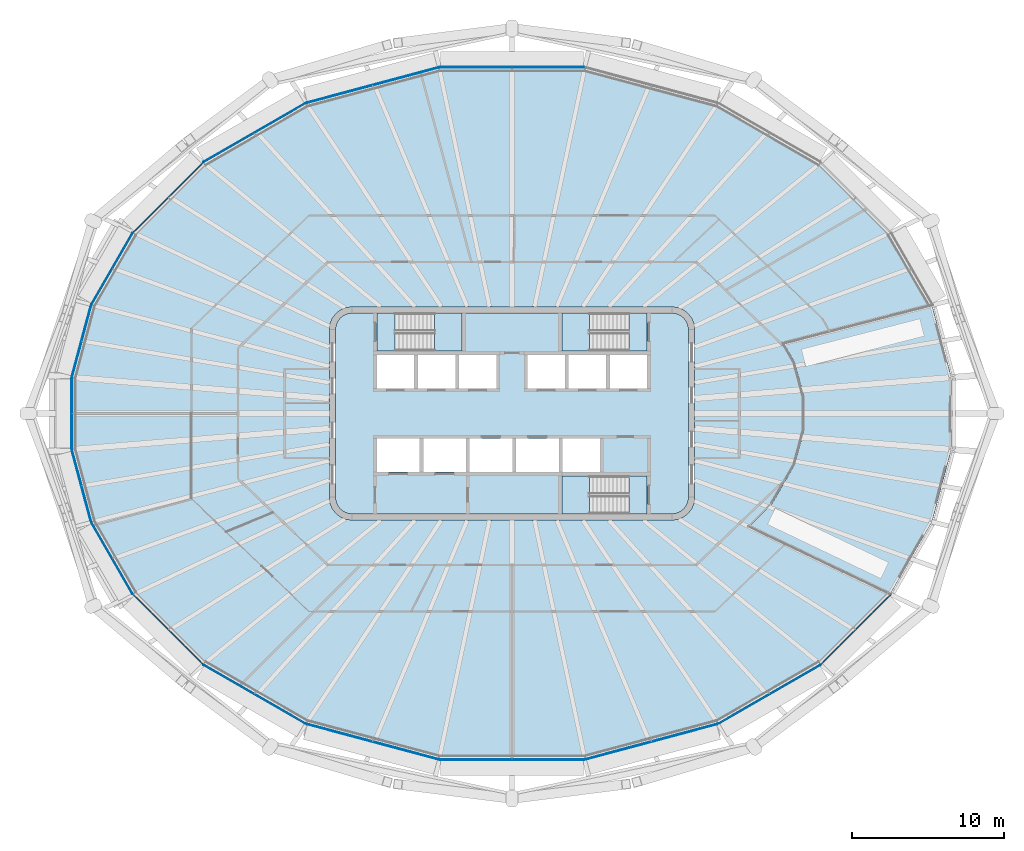
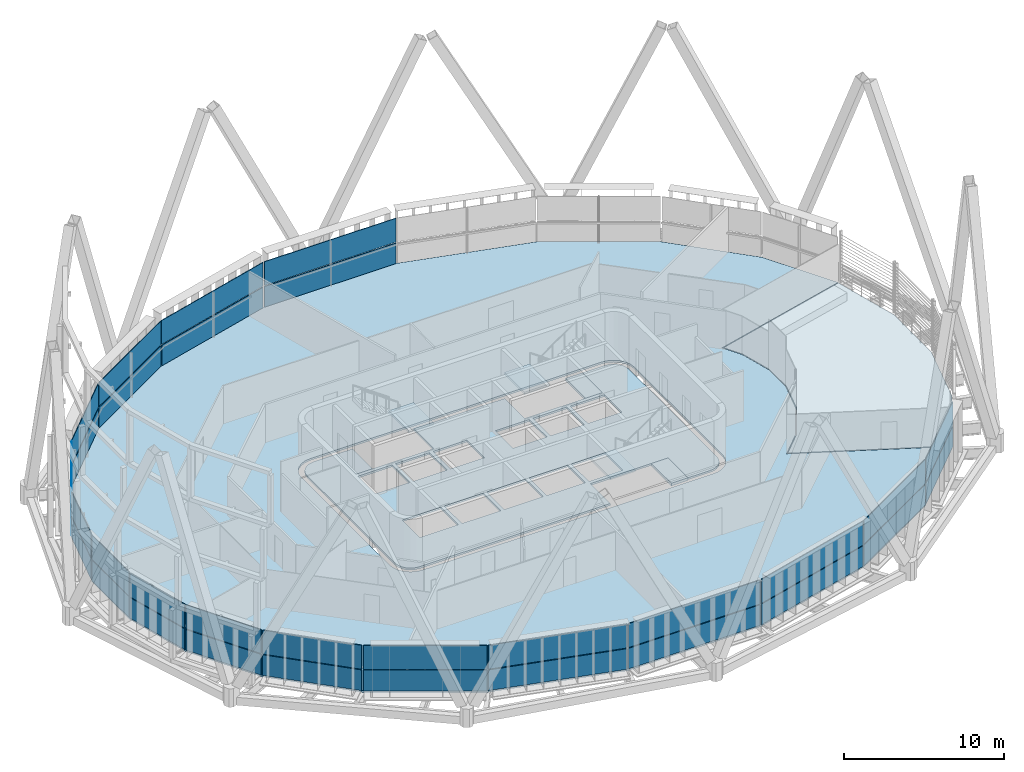
# One storey, part 9 of 22: 32 plates, 9 slabs, 19 elements without a shape of their own.
"""IFC4 building model written with IfcOpenShell, lengths in metres."""

from ifc_helpers import new_model, si_unit, direction, frame, origin, place, context, subcontext, project, spatial, polyline, outline, extrude, material, layer, layer_set, type_object, element, aggregate, save


model = new_model("IFC4")

# Units and contexts
model_context = context("Model", 3, precision=1e-05, world=origin(), true_north=direction((0.0, 1.0)))
body_context = subcontext(model_context, "Body", "Model", "MODEL_VIEW")
ifc_project = project(units=[si_unit("LENGTHUNIT", "METRE"), si_unit("AREAUNIT", "SQUARE_METRE"), si_unit("VOLUMEUNIT", "CUBIC_METRE"), si_unit("PLANEANGLEUNIT", "RADIAN"), si_unit("MASSUNIT", "GRAM", prefix="KILO")], contexts=[model_context])

# Site, building, storey
site_placement = place(None, origin())
site = spatial("IfcSite", under=ifc_project, at=site_placement, CompositionType="ELEMENT")
building_placement = place(site_placement, origin())
building = spatial("IfcBuilding", under=site, at=building_placement, Name="Sahrelin Media Tower", CompositionType="ELEMENT")
storey_placement = place(building_placement, frame((0.0, 0.0, 283.0)))
storey = spatial("IfcBuildingStorey", under=building, at=storey_placement, Name="L62", CompositionType="ELEMENT", Elevation=283.0)

# Slabs
ifc_material_1 = material(Name="Concrete C40/50", Category="concrete")
ifc_layer_1 = layer(ifc_material_1, 0.14990234375)
ifc_layer_set_1 = layer_set([ifc_layer_1], Name="Composite floor slab 150")
slab_type_1 = type_object("IfcSlabType", Name="Composite floor slab 150", PredefinedType="FLOOR", material=ifc_layer_set_1)
placement_1 = place(storey_placement, frame((0.0, 0.0, -0.14990234375)))
element("IfcSlab", 1, at=placement_1, inside=storey, type_object=slab_type_1, Name="Floor slab L62", PredefinedType="FLOOR", context=body_context, shape_type="SweptSolid", body=[
    extrude(outline(polyline([(20.283203125, -16.475830078125), (24.87109375, -11.887939453125), (15.51318359375, -7.414794921875), (17.04833984375, -5.879638671875), (18.51171875, -3.34521484375), (19.118896484375, -1.0791015625), (19.118896484375, 1.0791015625), (18.51171875, 3.34521484375), (17.7939453125, 4.588134765625), (27.623779296875, 7.12255859375), (24.874267578125, 11.884765625), (20.283203125, 16.475830078125), (13.52685546875, 20.376708984375), (4.789794921875, 22.7177734375), (-4.789794921875, 22.7177734375), (-13.52685546875, 20.376708984375), (-20.283203125, 16.475830078125), (-24.874267578125, 11.884765625), (-27.625244140625, 7.1201171875), (-28.89892578125, 2.36669921875), (-28.89892578125, -2.36669921875), (-27.625244140625, -7.1201171875), (-24.874267578125, -11.884765625), (-20.283203125, -16.475830078125), (-13.52685546875, -20.376708984375), (-4.789794921875, -22.7177734375), (4.789794921875, -22.7177734375), (13.52685546875, -20.376708984375), (20.283203125, -16.475830078125)]), holes=[polyline([(11.799072265625, 6.25), (11.948974609375, 5.88818359375), (12.0, 5.5), (12.0, -5.5), (11.948974609375, -5.88818359375), (11.799072265625, -6.25), (11.560791015625, -6.560791015625), (11.25, -6.799072265625), (10.88818359375, -6.948974609375), (10.5, -7.0), (-10.5, -7.0), (-10.88818359375, -6.948974609375), (-11.25, -6.799072265625), (-11.560791015625, -6.560791015625), (-11.799072265625, -6.25), (-11.948974609375, -5.88818359375), (-12.0, -5.5), (-12.0, 5.5), (-11.948974609375, 5.88818359375), (-11.799072265625, 6.25), (-11.560791015625, 6.560791015625), (-11.25, 6.799072265625), (-10.88818359375, 6.948974609375), (-10.5, 7.0), (10.5, 7.0), (10.88818359375, 6.948974609375), (11.25, 6.799072265625), (11.560791015625, 6.560791015625), (11.799072265625, 6.25)])]), origin(), (0.0, 0.0, 1.0), 0.14990234375),
])
ifc_layer_2 = layer(ifc_material_1, 0.14990234375)
ifc_layer_set_2 = layer_set([ifc_layer_2], Name="Core floor slab 150")
slab_type_2 = type_object("IfcSlabType", Name="Core floor slab 150", PredefinedType="FLOOR", material=ifc_layer_set_2)
element("IfcSlab", 2, at=placement_1, inside=storey, type_object=slab_type_2, Name="Core floor", PredefinedType="FLOOR", context=body_context, shape_type="SweptSolid", body=[
    extrude(outline(polyline([(-11.60009765625, -5.473876953125), (-11.55908203125, -5.78369140625), (-11.44970703125, -6.04833984375), (-11.275390625, -6.275390625), (-11.04833984375, -6.44970703125), (-10.78369140625, -6.55908203125), (-10.473876953125, -6.60009765625), (3.27490234375, -6.60009765625), (3.27490234375, -4.10009765625), (8.875, -4.10009765625), (8.875, -6.60009765625), (10.473876953125, -6.60009765625), (10.78369140625, -6.55908203125), (11.04833984375, -6.44970703125), (11.275390625, -6.275390625), (11.44970703125, -6.04833984375), (11.55908203125, -5.78369140625), (11.60009765625, -5.473876953125), (11.60009765625, 5.473876953125), (11.55908203125, 5.78369140625), (11.44970703125, 6.04833984375), (11.275390625, 6.275390625), (11.04833984375, 6.44970703125), (10.78369140625, 6.55908203125), (10.473876953125, 6.60009765625), (8.875, 6.60009765625), (8.875, 4.10009765625), (3.27490234375, 4.10009765625), (3.27490234375, 6.60009765625), (-3.27490234375, 6.60009765625), (-3.27490234375, 4.10009765625), (-8.875, 4.10009765625), (-8.875, 6.60009765625), (-10.473876953125, 6.60009765625), (-10.78369140625, 6.55908203125), (-11.04833984375, 6.44970703125), (-11.275390625, 6.275390625), (-11.44970703125, 6.04833984375), (-11.55908203125, 5.78369140625), (-11.60009765625, 5.473876953125), (-11.60009765625, -5.473876953125)]), holes=[polyline([(-8.875, 3.85009765625), (-8.875, 1.64990234375), (-6.425048828125, 1.64990234375), (-6.425048828125, 3.85009765625), (-8.875, 3.85009765625)]), polyline([(-3.72509765625, 3.85009765625), (-6.175048828125, 3.85009765625), (-6.175048828125, 1.64990234375), (-3.72509765625, 1.64990234375), (-3.72509765625, 3.85009765625)]), polyline([(-1.02490234375, 1.64990234375), (-1.02490234375, 3.85009765625), (-3.47509765625, 3.85009765625), (-3.47509765625, 1.64990234375), (-1.02490234375, 1.64990234375)]), polyline([(1.02490234375, 1.64990234375), (3.47509765625, 1.64990234375), (3.47509765625, 3.85009765625), (1.02490234375, 3.85009765625), (1.02490234375, 1.64990234375)]), polyline([(3.72509765625, 3.85009765625), (3.72509765625, 1.64990234375), (6.175048828125, 1.64990234375), (6.175048828125, 3.85009765625), (3.72509765625, 3.85009765625)]), polyline([(8.875, 3.85009765625), (6.425048828125, 3.85009765625), (6.425048828125, 1.64990234375), (8.875, 1.64990234375), (8.875, 3.85009765625)]), polyline([(-6.074951171875, -3.85009765625), (-6.074951171875, -1.64990234375), (-8.875, -1.64990234375), (-8.875, -3.85009765625), (-6.074951171875, -3.85009765625)]), polyline([(-5.824951171875, -3.85009765625), (-3.02490234375, -3.85009765625), (-3.02490234375, -1.64990234375), (-5.824951171875, -1.64990234375), (-5.824951171875, -3.85009765625)]), polyline([(-2.77490234375, -1.64990234375), (-2.77490234375, -3.85009765625), (0.02490234375, -3.85009765625), (0.02490234375, -1.64990234375), (-2.77490234375, -1.64990234375)]), polyline([(3.074951171875, -1.64990234375), (0.27490234375, -1.64990234375), (0.27490234375, -3.85009765625), (3.074951171875, -3.85009765625), (3.074951171875, -1.64990234375)]), polyline([(5.77490234375, -3.85009765625), (5.77490234375, -1.64990234375), (3.324951171875, -1.64990234375), (3.324951171875, -3.85009765625), (5.77490234375, -3.85009765625)])]), origin(), (0.0, 0.0, 1.0), 0.14990234375),
])

# Curtain wall, plate
ifc_material_2 = material(Name="Champagne anodised aluminium 6063-T6", Category="aluminium")
ifc_layer_3 = layer(ifc_material_2, 0.14990234375)
ifc_layer_set_3 = layer_set([ifc_layer_3], Name="Tower ribbon curtain wall")
curtain_wall_type = type_object("IfcCurtainWallType", Name="Tower ribbon curtain wall", PredefinedType="NOTDEFINED", material=ifc_layer_set_3)
curtain_wall_1_placement = place(storey_placement, frame((0.0, 22.73779296875, 0.0), z_axis=(0.0, 0.0, 1.0), x_axis=(1.0, 0.0, 0.0)))
curtain_wall_1 = element("IfcCurtainWall", 3, at=curtain_wall_1_placement, inside=storey, type_object=curtain_wall_type, Name="L62:CW:L62-06", PredefinedType="NOTDEFINED")
ifc_material_3 = material(Name="Clear low-iron glazing", Category="glass")
ifc_layer_4 = layer(ifc_material_3, 0.048095703125)
ifc_layer_set_4 = layer_set([ifc_layer_4], Name="Glazing panel 48 mm CW1C")
plate_type_1 = type_object("IfcPlateType", Name="Glazing panel 48 mm CW1C", PredefinedType="CURTAIN_PANEL", material=ifc_layer_set_4)
plate_1_placement = place(storey_placement, frame((4.7421875, 22.7578125, 1.6298828125), z_axis=(0.0, 1.0, 0.0), x_axis=(-1.0, 0.0, 0.0)))
plate_1 = element("IfcPlate", 4, at=plate_1_placement, type_object=plate_type_1, Name="L62:CWP2:L62-06", PredefinedType="CURTAIN_PANEL", context=body_context, shape_type="SweptSolid", body=[
    extrude(outline(polyline([(0.0, 0.0), (9.484375, 0.0), (9.484375, 1.818603515625), (0.0, 1.818603515625), (0.0, 0.0)])), origin(), (0.0, 0.0, -1.0), 0.048095703125),
])

curtain_wall_2_placement = place(storey_placement, frame((-9.163330078125, 21.56640625, 0.0), z_axis=(0.0, 0.0, 1.0), x_axis=(1.0, 0.0, 0.0)))
curtain_wall_2 = element("IfcCurtainWall", 5, at=curtain_wall_2_placement, inside=storey, type_object=curtain_wall_type, Name="L62:CW:L62-07", PredefinedType="NOTDEFINED")
plate_2_placement = place(storey_placement, frame((-4.845703125, 22.744140625, 1.6298828125), z_axis=(-0.258821978042, 0.965925040405, 0.0), x_axis=(-0.965925040405, -0.258821978042, 0.0)))
plate_2 = element("IfcPlate", 6, at=plate_2_placement, type_object=plate_type_1, Name="L62:CWP2:L62-07", PredefinedType="CURTAIN_PANEL", context=body_context, shape_type="SweptSolid", body=[
    extrude(outline(polyline([(0.0, 0.0), (8.95068359375, 0.0), (8.95068359375, 1.818603515625), (0.0, 1.818603515625), (0.0, 0.0)])), origin(), (0.0, 0.0, -1.0), 0.048095703125),
])

curtain_wall_3_placement = place(storey_placement, frame((-16.9150390625, 18.443603515625, 0.0), z_axis=(0.0, 0.0, 1.0), x_axis=(1.0, 0.0, 0.0)))
curtain_wall_3 = element("IfcCurtainWall", 7, at=curtain_wall_3_placement, inside=storey, type_object=curtain_wall_type, Name="L62:CW:L62-08", PredefinedType="NOTDEFINED")
plate_3_placement = place(storey_placement, frame((-13.587890625, 20.3876953125, 1.6298828125), z_axis=(-0.500009464026, 0.866019939657, 0.0), x_axis=(-0.866019939657, -0.500009464026, 0.0)))
plate_3 = element("IfcPlate", 8, at=plate_3_placement, type_object=plate_type_1, Name="L62:CWP2:L62-08", PredefinedType="CURTAIN_PANEL", context=body_context, shape_type="SweptSolid", body=[
    extrude(outline(polyline([(0.0, 0.0), (7.706787109375, 0.0), (7.706787109375, 1.818603515625), (0.0, 1.818603515625), (0.0, 0.0)])), origin(), (0.0, 0.0, -1.0), 0.048095703125),
])

curtain_wall_4_placement = place(storey_placement, frame((-22.593017578125, 14.1943359375, 0.0), z_axis=(0.0, 0.0, 1.0), x_axis=(1.0, 0.0, 0.0)))
curtain_wall_4 = element("IfcCurtainWall", 9, at=curtain_wall_4_placement, inside=storey, type_object=curtain_wall_type, Name="L62:CW:L62-09", PredefinedType="NOTDEFINED")
plate_4_placement = place(storey_placement, frame((-20.344970703125, 16.470703125, 1.6298828125), z_axis=(-0.707106781187, 0.707106781187, 0.0), x_axis=(-0.707106781187, -0.707106781187, 0.0)))
plate_4 = element("IfcPlate", 10, at=plate_4_placement, type_object=plate_type_1, Name="L62:CWP2:L62-09", PredefinedType="CURTAIN_PANEL", context=body_context, shape_type="SweptSolid", body=[
    extrude(outline(polyline([(0.0, 0.0), (6.398193359375, 0.0), (6.398193359375, 1.818603515625), (0.0, 1.818603515625), (0.0, 0.0)])), origin(), (0.0, 0.0, -1.0), 0.048095703125),
])

curtain_wall_5_placement = place(storey_placement, frame((-26.26708984375, 9.512451171875, 0.0), z_axis=(0.0, 0.0, 1.0), x_axis=(1.0, 0.0, 0.0)))
curtain_wall_5 = element("IfcCurtainWall", 11, at=curtain_wall_5_placement, inside=storey, type_object=curtain_wall_type, Name="L62:CW:L62-10", PredefinedType="NOTDEFINED")
plate_5_placement = place(storey_placement, frame((-24.9326171875, 11.86376953125, 1.6298828125), z_axis=(-0.866036707733, 0.499980420476, 0.0), x_axis=(-0.499980420476, -0.866036707733, 0.0)))
plate_5 = element("IfcPlate", 12, at=plate_5_placement, type_object=plate_type_1, Name="L62:CWP2:L62-10", PredefinedType="CURTAIN_PANEL", context=body_context, shape_type="SweptSolid", body=[
    extrude(outline(polyline([(0.0, 0.0), (5.406982421875, 0.0), (5.406982421875, 1.818603515625), (0.0, 1.818603515625), (0.0, 0.0)])), origin(), (0.0, 0.0, -1.0), 0.048095703125),
])

curtain_wall_6_placement = place(storey_placement, frame((-28.28125, 4.74853515625, 0.0), z_axis=(0.0, 0.0, 1.0), x_axis=(1.0, 0.0, 0.0)))
curtain_wall_6 = element("IfcCurtainWall", 13, at=curtain_wall_6_placement, inside=storey, type_object=curtain_wall_type, Name="L62:CW:L62-11", PredefinedType="NOTDEFINED")
plate_6_placement = place(storey_placement, frame((-27.676025390625, 7.084716796875, 1.6298828125), z_axis=(-0.965922763183, 0.258830476498, 0.0), x_axis=(-0.258830476498, -0.965922763183, 0.0)))
plate_6 = element("IfcPlate", 14, at=plate_6_placement, type_object=plate_type_1, Name="L62:CWP2:L62-11", PredefinedType="CURTAIN_PANEL", context=body_context, shape_type="SweptSolid", body=[
    extrude(outline(polyline([(0.0, 0.0), (4.82666015625, 0.0), (4.82666015625, 1.818603515625), (0.0, 1.818603515625), (0.0, 0.0)])), origin(), (0.0, 0.0, -1.0), 0.048095703125),
])

curtain_wall_7_placement = place(storey_placement, frame((-28.9189453125, 0.0, 0.0), z_axis=(0.0, 0.0, 1.0), x_axis=(1.0, 0.0, 0.0)))
curtain_wall_7 = element("IfcCurtainWall", 15, at=curtain_wall_7_placement, inside=storey, type_object=curtain_wall_type, Name="L62:CW:L62-12", PredefinedType="NOTDEFINED")
plate_7_placement = place(storey_placement, frame((-28.93896484375, 2.319091796875, 1.6298828125), z_axis=(-1.0, 0.0, 0.0), x_axis=(0.0, -1.0, 0.0)))
plate_7 = element("IfcPlate", 16, at=plate_7_placement, type_object=plate_type_1, Name="L62:CWP2:L62-12", PredefinedType="CURTAIN_PANEL", context=body_context, shape_type="SweptSolid", body=[
    extrude(outline(polyline([(0.0, 0.0), (4.63818359375, 0.0), (4.63818359375, 1.818603515625), (0.0, 1.818603515625), (0.0, 0.0)])), origin(), (0.0, 0.0, -1.0), 0.048095703125),
])

curtain_wall_8_placement = place(storey_placement, frame((-28.28125, -4.74853515625, 0.0), z_axis=(0.0, 0.0, 1.0), x_axis=(1.0, 0.0, 0.0)))
curtain_wall_8 = element("IfcCurtainWall", 17, at=curtain_wall_8_placement, inside=storey, type_object=curtain_wall_type, Name="L62:CW:L62-13", PredefinedType="NOTDEFINED")
plate_8_placement = place(storey_placement, frame((-28.92529296875, -2.422607421875, 1.6298828125), z_axis=(-0.965922763183, -0.258830476498, 0.0), x_axis=(0.258830476498, -0.965922763183, 0.0)))
plate_8 = element("IfcPlate", 18, at=plate_8_placement, type_object=plate_type_1, Name="L62:CWP2:L62-13", PredefinedType="CURTAIN_PANEL", context=body_context, shape_type="SweptSolid", body=[
    extrude(outline(polyline([(0.0, 0.0), (4.82666015625, 0.0), (4.82666015625, 1.818603515625), (0.0, 1.818603515625), (0.0, 0.0)])), origin(), (0.0, 0.0, -1.0), 0.048095703125),
])

curtain_wall_9_placement = place(storey_placement, frame((-26.26708984375, -9.512451171875, 0.0), z_axis=(0.0, 0.0, 1.0), x_axis=(1.0, 0.0, 0.0)))
curtain_wall_9 = element("IfcCurtainWall", 19, at=curtain_wall_9_placement, inside=storey, type_object=curtain_wall_type, Name="L62:CW:L62-14", PredefinedType="NOTDEFINED")
plate_9_placement = place(storey_placement, frame((-27.635986328125, -7.18115234375, 1.6298828125), z_axis=(-0.866036707733, -0.499980420476, 0.0), x_axis=(0.499980420476, -0.866036707733, 0.0)))
plate_9 = element("IfcPlate", 20, at=plate_9_placement, type_object=plate_type_1, Name="L62:CWP2:L62-14", PredefinedType="CURTAIN_PANEL", context=body_context, shape_type="SweptSolid", body=[
    extrude(outline(polyline([(0.0, 0.0), (5.406982421875, 0.0), (5.406982421875, 1.818603515625), (0.0, 1.818603515625), (0.0, 0.0)])), origin(), (0.0, 0.0, -1.0), 0.048095703125),
])

curtain_wall_10_placement = place(storey_placement, frame((-22.593017578125, -14.1943359375, 0.0), z_axis=(0.0, 0.0, 1.0), x_axis=(1.0, 0.0, 0.0)))
curtain_wall_10 = element("IfcCurtainWall", 21, at=curtain_wall_10_placement, inside=storey, type_object=curtain_wall_type, Name="L62:CW:L62-15", PredefinedType="NOTDEFINED")
plate_10_placement = place(storey_placement, frame((-24.869140625, -11.946533203125, 1.6298828125), z_axis=(-0.707106781187, -0.707106781187, 0.0), x_axis=(0.707106781187, -0.707106781187, 0.0)))
plate_10 = element("IfcPlate", 22, at=plate_10_placement, type_object=plate_type_1, Name="L62:CWP2:L62-15", PredefinedType="CURTAIN_PANEL", context=body_context, shape_type="SweptSolid", body=[
    extrude(outline(polyline([(0.0, 0.0), (6.398193359375, 0.0), (6.398193359375, 1.818603515625), (0.0, 1.818603515625), (0.0, 0.0)])), origin(), (0.0, 0.0, -1.0), 0.048095703125),
])

curtain_wall_11_placement = place(storey_placement, frame((-16.9150390625, -18.443603515625, 0.0), z_axis=(0.0, 0.0, 1.0), x_axis=(1.0, 0.0, 0.0)))
curtain_wall_11 = element("IfcCurtainWall", 23, at=curtain_wall_11_placement, inside=storey, type_object=curtain_wall_type, Name="L62:CW:L62-16", PredefinedType="NOTDEFINED")
plate_11_placement = place(storey_placement, frame((-20.26220703125, -16.5341796875, 1.6298828125), z_axis=(-0.500009464026, -0.866019939657, 0.0), x_axis=(0.866019939657, -0.500009464026, 0.0)))
plate_11 = element("IfcPlate", 24, at=plate_11_placement, type_object=plate_type_1, Name="L62:CWP2:L62-16", PredefinedType="CURTAIN_PANEL", context=body_context, shape_type="SweptSolid", body=[
    extrude(outline(polyline([(0.0, 0.0), (7.706787109375, 0.0), (7.706787109375, 1.818603515625), (0.0, 1.818603515625), (0.0, 0.0)])), origin(), (0.0, 0.0, -1.0), 0.048095703125),
])

curtain_wall_12_placement = place(storey_placement, frame((-9.163330078125, -21.56640625, 0.0), z_axis=(0.0, 0.0, 1.0), x_axis=(1.0, 0.0, 0.0)))
curtain_wall_12 = element("IfcCurtainWall", 25, at=curtain_wall_12_placement, inside=storey, type_object=curtain_wall_type, Name="L62:CW:L62-17", PredefinedType="NOTDEFINED")
plate_12_placement = place(storey_placement, frame((-13.491455078125, -20.427490234375, 1.6298828125), z_axis=(-0.258821978042, -0.965925040405, 0.0), x_axis=(0.965925040405, -0.258821978042, 0.0)))
plate_12 = element("IfcPlate", 26, at=plate_12_placement, type_object=plate_type_1, Name="L62:CWP2:L62-17", PredefinedType="CURTAIN_PANEL", context=body_context, shape_type="SweptSolid", body=[
    extrude(outline(polyline([(0.0, 0.0), (8.95068359375, 0.0), (8.95068359375, 1.818603515625), (0.0, 1.818603515625), (0.0, 0.0)])), origin(), (0.0, 0.0, -1.0), 0.048095703125),
])

curtain_wall_13_placement = place(storey_placement, frame((0.0, -22.73779296875, 0.0), z_axis=(0.0, 0.0, 1.0), x_axis=(1.0, 0.0, 0.0)))
curtain_wall_13 = element("IfcCurtainWall", 27, at=curtain_wall_13_placement, inside=storey, type_object=curtain_wall_type, Name="L62:CW:L62-18", PredefinedType="NOTDEFINED")
plate_13_placement = place(storey_placement, frame((-4.7421875, -22.7578125, 1.6298828125), z_axis=(0.0, -1.0, 0.0), x_axis=(1.0, 0.0, 0.0)))
plate_13 = element("IfcPlate", 28, at=plate_13_placement, type_object=plate_type_1, Name="L62:CWP2:L62-18", PredefinedType="CURTAIN_PANEL", context=body_context, shape_type="SweptSolid", body=[
    extrude(outline(polyline([(0.0, 0.0), (9.484375, 0.0), (9.484375, 1.818603515625), (0.0, 1.818603515625), (0.0, 0.0)])), origin(), (0.0, 0.0, -1.0), 0.048095703125),
])

curtain_wall_14_placement = place(storey_placement, frame((9.163330078125, -21.56640625, 0.0), z_axis=(0.0, 0.0, 1.0), x_axis=(1.0, 0.0, 0.0)))
curtain_wall_14 = element("IfcCurtainWall", 29, at=curtain_wall_14_placement, inside=storey, type_object=curtain_wall_type, Name="L62:CW:L62-19", PredefinedType="NOTDEFINED")
plate_14_placement = place(storey_placement, frame((4.845703125, -22.744140625, 1.6298828125), z_axis=(0.258821978042, -0.965925040405, 0.0), x_axis=(0.965925040405, 0.258821978042, 0.0)))
plate_14 = element("IfcPlate", 30, at=plate_14_placement, type_object=plate_type_1, Name="L62:CWP2:L62-19", PredefinedType="CURTAIN_PANEL", context=body_context, shape_type="SweptSolid", body=[
    extrude(outline(polyline([(0.0, 0.0), (8.95068359375, 0.0), (8.95068359375, 1.818603515625), (0.0, 1.818603515625), (0.0, 0.0)])), origin(), (0.0, 0.0, -1.0), 0.048095703125),
])

curtain_wall_15_placement = place(storey_placement, frame((16.9150390625, -18.443603515625, 0.0), z_axis=(0.0, 0.0, 1.0), x_axis=(1.0, 0.0, 0.0)))
curtain_wall_15 = element("IfcCurtainWall", 31, at=curtain_wall_15_placement, inside=storey, type_object=curtain_wall_type, Name="L62:CW:L62-20", PredefinedType="NOTDEFINED")
plate_15_placement = place(storey_placement, frame((13.587890625, -20.3876953125, 1.6298828125), z_axis=(0.500009464026, -0.866019939657, 0.0), x_axis=(0.866019939657, 0.500009464026, 0.0)))
plate_15 = element("IfcPlate", 32, at=plate_15_placement, type_object=plate_type_1, Name="L62:CWP2:L62-20", PredefinedType="CURTAIN_PANEL", context=body_context, shape_type="SweptSolid", body=[
    extrude(outline(polyline([(0.0, 0.0), (7.706787109375, 0.0), (7.706787109375, 1.818603515625), (0.0, 1.818603515625), (0.0, 0.0)])), origin(), (0.0, 0.0, -1.0), 0.048095703125),
])

curtain_wall_16_placement = place(storey_placement, frame((22.593017578125, -14.1943359375, 0.0), z_axis=(0.0, 0.0, 1.0), x_axis=(1.0, 0.0, 0.0)))
curtain_wall_16 = element("IfcCurtainWall", 33, at=curtain_wall_16_placement, inside=storey, type_object=curtain_wall_type, Name="L62:CW:L62-21", PredefinedType="NOTDEFINED")
plate_16_placement = place(storey_placement, frame((20.344970703125, -16.470703125, 1.6298828125), z_axis=(0.707106781187, -0.707106781187, 0.0), x_axis=(0.707106781187, 0.707106781187, 0.0)))
plate_16 = element("IfcPlate", 34, at=plate_16_placement, type_object=plate_type_1, Name="L62:CWP2:L62-21", PredefinedType="CURTAIN_PANEL", context=body_context, shape_type="SweptSolid", body=[
    extrude(outline(polyline([(0.0, 0.0), (6.398193359375, 0.0), (6.398193359375, 1.818603515625), (0.0, 1.818603515625), (0.0, 0.0)])), origin(), (0.0, 0.0, -1.0), 0.048095703125),
])

# Slab
ifc_layer_5 = layer(ifc_material_1, 0.199951171875)
ifc_layer_set_5 = layer_set([ifc_layer_5], Name="Sky garden terrace slab")
slab_type_3 = type_object("IfcSlabType", Name="Sky garden terrace slab", PredefinedType="FLOOR", material=ifc_layer_set_5)
placement_2 = place(storey_placement, frame((0.0, 0.0, -0.199951171875)))
element("IfcSlab", 35, at=placement_2, inside=storey, type_object=slab_type_3, Name="Sky garden terrace G8", PredefinedType="FLOOR", context=body_context, shape_type="SweptSolid", body=[
    extrude(outline(polyline([(28.868896484375, -2.362548828125), (27.59716796875, -7.1083984375), (24.8701171875, -11.831787109375), (15.598388671875, -7.400390625), (17.08837890625, -5.910400390625), (18.558349609375, -3.364501953125), (19.1689453125, -1.085693359375), (19.1689453125, 1.085693359375), (18.558349609375, 3.364501953125), (17.8701171875, 4.55615234375), (27.6083984375, 7.06689453125), (28.868896484375, 2.362548828125), (28.868896484375, -2.362548828125)])), origin(), (0.0, 0.0, 1.0), 0.199951171875),
])

# Plate
ifc_material_4 = material(Name="Insulated spandrel panel")
ifc_layer_6 = layer(ifc_material_4, 0.06005859375)
ifc_layer_set_6 = layer_set([ifc_layer_6], Name="Spandrel panel 60 mm CW1")
plate_type_2 = type_object("IfcPlateType", Name="Spandrel panel 60 mm CW1", PredefinedType="SHEET", material=ifc_layer_set_6)
plate_17_placement = place(storey_placement, frame((4.7421875, 22.7578125, 0.0), z_axis=(0.0, 1.0, 0.0), x_axis=(-1.0, 0.0, 0.0)))
plate_17 = element("IfcPlate", 36, at=plate_17_placement, type_object=plate_type_2, Name="L62:CWP1:L62-06", PredefinedType="SHEET", context=body_context, shape_type="SweptSolid", body=[
    extrude(outline(polyline([(0.0, 0.0), (9.484375, 0.0), (9.484375, 1.570068359375), (0.0, 1.570068359375), (0.0, 0.0)])), origin(), (0.0, 0.0, -1.0), 0.06005859375),
])

aggregate(curtain_wall_1, [plate_17, plate_1])

plate_18_placement = place(storey_placement, frame((-4.845703125, 22.744140625, 0.0), z_axis=(-0.258821978042, 0.965925040405, 0.0), x_axis=(-0.965925040405, -0.258821978042, 0.0)))
plate_18 = element("IfcPlate", 37, at=plate_18_placement, type_object=plate_type_2, Name="L62:CWP1:L62-07", PredefinedType="SHEET", context=body_context, shape_type="SweptSolid", body=[
    extrude(outline(polyline([(0.0, 0.0), (8.95068359375, 0.0), (8.95068359375, 1.570068359375), (0.0, 1.570068359375), (0.0, 0.0)])), origin(), (0.0, 0.0, -1.0), 0.06005859375),
])

aggregate(curtain_wall_2, [plate_18, plate_2])

plate_19_placement = place(storey_placement, frame((-13.587890625, 20.3876953125, 0.0), z_axis=(-0.500009464026, 0.866019939657, 0.0), x_axis=(-0.866019939657, -0.500009464026, 0.0)))
plate_19 = element("IfcPlate", 38, at=plate_19_placement, type_object=plate_type_2, Name="L62:CWP1:L62-08", PredefinedType="SHEET", context=body_context, shape_type="SweptSolid", body=[
    extrude(outline(polyline([(0.0, 0.0), (7.706787109375, 0.0), (7.706787109375, 1.570068359375), (0.0, 1.570068359375), (0.0, 0.0)])), origin(), (0.0, 0.0, -1.0), 0.06005859375),
])

aggregate(curtain_wall_3, [plate_19, plate_3])

plate_20_placement = place(storey_placement, frame((-20.344970703125, 16.470703125, 0.0), z_axis=(-0.707106781187, 0.707106781187, 0.0), x_axis=(-0.707106781187, -0.707106781187, 0.0)))
plate_20 = element("IfcPlate", 39, at=plate_20_placement, type_object=plate_type_2, Name="L62:CWP1:L62-09", PredefinedType="SHEET", context=body_context, shape_type="SweptSolid", body=[
    extrude(outline(polyline([(0.0, 0.0), (6.398193359375, 0.0), (6.398193359375, 1.570068359375), (0.0, 1.570068359375), (0.0, 0.0)])), origin(), (0.0, 0.0, -1.0), 0.06005859375),
])

aggregate(curtain_wall_4, [plate_20, plate_4])

plate_21_placement = place(storey_placement, frame((-24.9326171875, 11.86376953125, 0.0), z_axis=(-0.866036707733, 0.499980420476, 0.0), x_axis=(-0.499980420476, -0.866036707733, 0.0)))
plate_21 = element("IfcPlate", 40, at=plate_21_placement, type_object=plate_type_2, Name="L62:CWP1:L62-10", PredefinedType="SHEET", context=body_context, shape_type="SweptSolid", body=[
    extrude(outline(polyline([(0.0, 0.0), (5.406982421875, 0.0), (5.406982421875, 1.570068359375), (0.0, 1.570068359375), (0.0, 0.0)])), origin(), (0.0, 0.0, -1.0), 0.06005859375),
])

aggregate(curtain_wall_5, [plate_21, plate_5])

plate_22_placement = place(storey_placement, frame((-27.676025390625, 7.084716796875, 0.0), z_axis=(-0.965922763183, 0.258830476498, 0.0), x_axis=(-0.258830476498, -0.965922763183, 0.0)))
plate_22 = element("IfcPlate", 41, at=plate_22_placement, type_object=plate_type_2, Name="L62:CWP1:L62-11", PredefinedType="SHEET", context=body_context, shape_type="SweptSolid", body=[
    extrude(outline(polyline([(0.0, 0.0), (4.82666015625, 0.0), (4.82666015625, 1.570068359375), (0.0, 1.570068359375), (0.0, 0.0)])), origin(), (0.0, 0.0, -1.0), 0.06005859375),
])

aggregate(curtain_wall_6, [plate_22, plate_6])

plate_23_placement = place(storey_placement, frame((-28.93896484375, 2.319091796875, 0.0), z_axis=(-1.0, 0.0, 0.0), x_axis=(0.0, -1.0, 0.0)))
plate_23 = element("IfcPlate", 42, at=plate_23_placement, type_object=plate_type_2, Name="L62:CWP1:L62-12", PredefinedType="SHEET", context=body_context, shape_type="SweptSolid", body=[
    extrude(outline(polyline([(0.0, 0.0), (4.63818359375, 0.0), (4.63818359375, 1.570068359375), (0.0, 1.570068359375), (0.0, 0.0)])), origin(), (0.0, 0.0, -1.0), 0.06005859375),
])

aggregate(curtain_wall_7, [plate_23, plate_7])

plate_24_placement = place(storey_placement, frame((-28.92529296875, -2.422607421875, 0.0), z_axis=(-0.965922763183, -0.258830476498, 0.0), x_axis=(0.258830476498, -0.965922763183, 0.0)))
plate_24 = element("IfcPlate", 43, at=plate_24_placement, type_object=plate_type_2, Name="L62:CWP1:L62-13", PredefinedType="SHEET", context=body_context, shape_type="SweptSolid", body=[
    extrude(outline(polyline([(0.0, 0.0), (4.82666015625, 0.0), (4.82666015625, 1.570068359375), (0.0, 1.570068359375), (0.0, 0.0)])), origin(), (0.0, 0.0, -1.0), 0.06005859375),
])

aggregate(curtain_wall_8, [plate_24, plate_8])

plate_25_placement = place(storey_placement, frame((-27.635986328125, -7.18115234375, 0.0), z_axis=(-0.866036707733, -0.499980420476, 0.0), x_axis=(0.499980420476, -0.866036707733, 0.0)))
plate_25 = element("IfcPlate", 44, at=plate_25_placement, type_object=plate_type_2, Name="L62:CWP1:L62-14", PredefinedType="SHEET", context=body_context, shape_type="SweptSolid", body=[
    extrude(outline(polyline([(0.0, 0.0), (5.406982421875, 0.0), (5.406982421875, 1.570068359375), (0.0, 1.570068359375), (0.0, 0.0)])), origin(), (0.0, 0.0, -1.0), 0.06005859375),
])

aggregate(curtain_wall_9, [plate_25, plate_9])

plate_26_placement = place(storey_placement, frame((-24.869140625, -11.946533203125, 0.0), z_axis=(-0.707106781187, -0.707106781187, 0.0), x_axis=(0.707106781187, -0.707106781187, 0.0)))
plate_26 = element("IfcPlate", 45, at=plate_26_placement, type_object=plate_type_2, Name="L62:CWP1:L62-15", PredefinedType="SHEET", context=body_context, shape_type="SweptSolid", body=[
    extrude(outline(polyline([(0.0, 0.0), (6.398193359375, 0.0), (6.398193359375, 1.570068359375), (0.0, 1.570068359375), (0.0, 0.0)])), origin(), (0.0, 0.0, -1.0), 0.06005859375),
])

aggregate(curtain_wall_10, [plate_26, plate_10])

plate_27_placement = place(storey_placement, frame((-20.26220703125, -16.5341796875, 0.0), z_axis=(-0.500009464026, -0.866019939657, 0.0), x_axis=(0.866019939657, -0.500009464026, 0.0)))
plate_27 = element("IfcPlate", 46, at=plate_27_placement, type_object=plate_type_2, Name="L62:CWP1:L62-16", PredefinedType="SHEET", context=body_context, shape_type="SweptSolid", body=[
    extrude(outline(polyline([(0.0, 0.0), (7.706787109375, 0.0), (7.706787109375, 1.570068359375), (0.0, 1.570068359375), (0.0, 0.0)])), origin(), (0.0, 0.0, -1.0), 0.06005859375),
])

aggregate(curtain_wall_11, [plate_27, plate_11])

plate_28_placement = place(storey_placement, frame((-13.491455078125, -20.427490234375, 0.0), z_axis=(-0.258821978042, -0.965925040405, 0.0), x_axis=(0.965925040405, -0.258821978042, 0.0)))
plate_28 = element("IfcPlate", 47, at=plate_28_placement, type_object=plate_type_2, Name="L62:CWP1:L62-17", PredefinedType="SHEET", context=body_context, shape_type="SweptSolid", body=[
    extrude(outline(polyline([(0.0, 0.0), (8.95068359375, 0.0), (8.95068359375, 1.570068359375), (0.0, 1.570068359375), (0.0, 0.0)])), origin(), (0.0, 0.0, -1.0), 0.06005859375),
])

aggregate(curtain_wall_12, [plate_28, plate_12])

plate_29_placement = place(storey_placement, frame((-4.7421875, -22.7578125, 0.0), z_axis=(0.0, -1.0, 0.0), x_axis=(1.0, 0.0, 0.0)))
plate_29 = element("IfcPlate", 48, at=plate_29_placement, type_object=plate_type_2, Name="L62:CWP1:L62-18", PredefinedType="SHEET", context=body_context, shape_type="SweptSolid", body=[
    extrude(outline(polyline([(0.0, 0.0), (9.484375, 0.0), (9.484375, 1.570068359375), (0.0, 1.570068359375), (0.0, 0.0)])), origin(), (0.0, 0.0, -1.0), 0.06005859375),
])

aggregate(curtain_wall_13, [plate_29, plate_13])

plate_30_placement = place(storey_placement, frame((4.845703125, -22.744140625, 0.0), z_axis=(0.258821978042, -0.965925040405, 0.0), x_axis=(0.965925040405, 0.258821978042, 0.0)))
plate_30 = element("IfcPlate", 49, at=plate_30_placement, type_object=plate_type_2, Name="L62:CWP1:L62-19", PredefinedType="SHEET", context=body_context, shape_type="SweptSolid", body=[
    extrude(outline(polyline([(0.0, 0.0), (8.95068359375, 0.0), (8.95068359375, 1.570068359375), (0.0, 1.570068359375), (0.0, 0.0)])), origin(), (0.0, 0.0, -1.0), 0.06005859375),
])

aggregate(curtain_wall_14, [plate_30, plate_14])

plate_31_placement = place(storey_placement, frame((13.587890625, -20.3876953125, 0.0), z_axis=(0.500009464026, -0.866019939657, 0.0), x_axis=(0.866019939657, 0.500009464026, 0.0)))
plate_31 = element("IfcPlate", 50, at=plate_31_placement, type_object=plate_type_2, Name="L62:CWP1:L62-20", PredefinedType="SHEET", context=body_context, shape_type="SweptSolid", body=[
    extrude(outline(polyline([(0.0, 0.0), (7.706787109375, 0.0), (7.706787109375, 1.570068359375), (0.0, 1.570068359375), (0.0, 0.0)])), origin(), (0.0, 0.0, -1.0), 0.06005859375),
])

aggregate(curtain_wall_15, [plate_31, plate_15])

plate_32_placement = place(storey_placement, frame((20.344970703125, -16.470703125, 0.0), z_axis=(0.707106781187, -0.707106781187, 0.0), x_axis=(0.707106781187, 0.707106781187, 0.0)))
plate_32 = element("IfcPlate", 51, at=plate_32_placement, type_object=plate_type_2, Name="L62:CWP1:L62-21", PredefinedType="SHEET", context=body_context, shape_type="SweptSolid", body=[
    extrude(outline(polyline([(0.0, 0.0), (6.398193359375, 0.0), (6.398193359375, 1.570068359375), (0.0, 1.570068359375), (0.0, 0.0)])), origin(), (0.0, 0.0, -1.0), 0.06005859375),
])

aggregate(curtain_wall_16, [plate_32, plate_16])

# Stair, slabs
stair_type = type_object("IfcStairType", Name="Exit stair 1200", PredefinedType="HALF_TURN_STAIR", material=ifc_material_1)
placement_3 = place(storey_placement, origin())
stair_1 = element("IfcStair", 52, at=placement_3, inside=storey, type_object=stair_type, Name="L62 Exit stair ST1", PredefinedType="HALF_TURN_STAIR")
ifc_layer_7 = layer(ifc_material_1, 0.199951171875)
ifc_layer_set_7 = layer_set([ifc_layer_7], Name="Stair landing 200")
slab_type_4 = type_object("IfcSlabType", Name="Stair landing 200", PredefinedType="LANDING", material=ifc_layer_set_7)
placement_4 = place(storey_placement, frame((0.0, 0.0, 1.800048828125)))
slab_4 = element("IfcSlab", 53, at=placement_4, type_object=slab_type_4, Name="ST1 landing 1", PredefinedType="LANDING", context=body_context, shape_type="SweptSolid", body=[
    extrude(outline(polyline([(-5.074951171875, 4.10009765625), (-3.27490234375, 4.10009765625), (-3.27490234375, 6.60009765625), (-5.074951171875, 6.60009765625), (-5.074951171875, 4.10009765625)])), origin(), (0.0, 0.0, 1.0), 0.199951171875),
])
slab_5 = element("IfcSlab", 54, at=placement_2, type_object=slab_type_4, Name="ST1 landing 2", PredefinedType="LANDING", context=body_context, shape_type="SweptSolid", body=[
    extrude(outline(polyline([(-8.875, 4.10009765625), (-7.675048828125, 4.10009765625), (-7.675048828125, 6.60009765625), (-8.875, 6.60009765625), (-8.875, 4.10009765625)])), origin(), (0.0, 0.0, 1.0), 0.199951171875),
])
aggregate(stair_1, [slab_4, slab_5])

stair_2 = element("IfcStair", 55, at=placement_3, inside=storey, type_object=stair_type, Name="L62 Exit stair ST3", PredefinedType="HALF_TURN_STAIR")
slab_6 = element("IfcSlab", 56, at=placement_4, type_object=slab_type_4, Name="ST3 landing 1", PredefinedType="LANDING", context=body_context, shape_type="SweptSolid", body=[
    extrude(outline(polyline([(5.074951171875, 6.60009765625), (3.27490234375, 6.60009765625), (3.27490234375, 4.10009765625), (5.074951171875, 4.10009765625), (5.074951171875, 6.60009765625)])), origin(), (0.0, 0.0, 1.0), 0.199951171875),
])
slab_7 = element("IfcSlab", 57, at=placement_2, type_object=slab_type_4, Name="ST3 landing 2", PredefinedType="LANDING", context=body_context, shape_type="SweptSolid", body=[
    extrude(outline(polyline([(8.875, 6.60009765625), (7.675048828125, 6.60009765625), (7.675048828125, 4.10009765625), (8.875, 4.10009765625), (8.875, 6.60009765625)])), origin(), (0.0, 0.0, 1.0), 0.199951171875),
])
aggregate(stair_2, [slab_6, slab_7])

stair_3 = element("IfcStair", 58, at=placement_3, inside=storey, type_object=stair_type, Name="L62 Exit stair ST2", PredefinedType="HALF_TURN_STAIR")
slab_8 = element("IfcSlab", 59, at=placement_4, type_object=slab_type_4, Name="ST2 landing 1", PredefinedType="LANDING", context=body_context, shape_type="SweptSolid", body=[
    extrude(outline(polyline([(5.074951171875, -4.10009765625), (3.27490234375, -4.10009765625), (3.27490234375, -6.60009765625), (5.074951171875, -6.60009765625), (5.074951171875, -4.10009765625)])), origin(), (0.0, 0.0, 1.0), 0.199951171875),
])
slab_9 = element("IfcSlab", 60, at=placement_2, type_object=slab_type_4, Name="ST2 landing 2", PredefinedType="LANDING", context=body_context, shape_type="SweptSolid", body=[
    extrude(outline(polyline([(8.875, -4.10009765625), (7.675048828125, -4.10009765625), (7.675048828125, -6.60009765625), (8.875, -6.60009765625), (8.875, -4.10009765625)])), origin(), (0.0, 0.0, 1.0), 0.199951171875),
])
aggregate(stair_3, [slab_8, slab_9])

save(model, "model.ifc")
